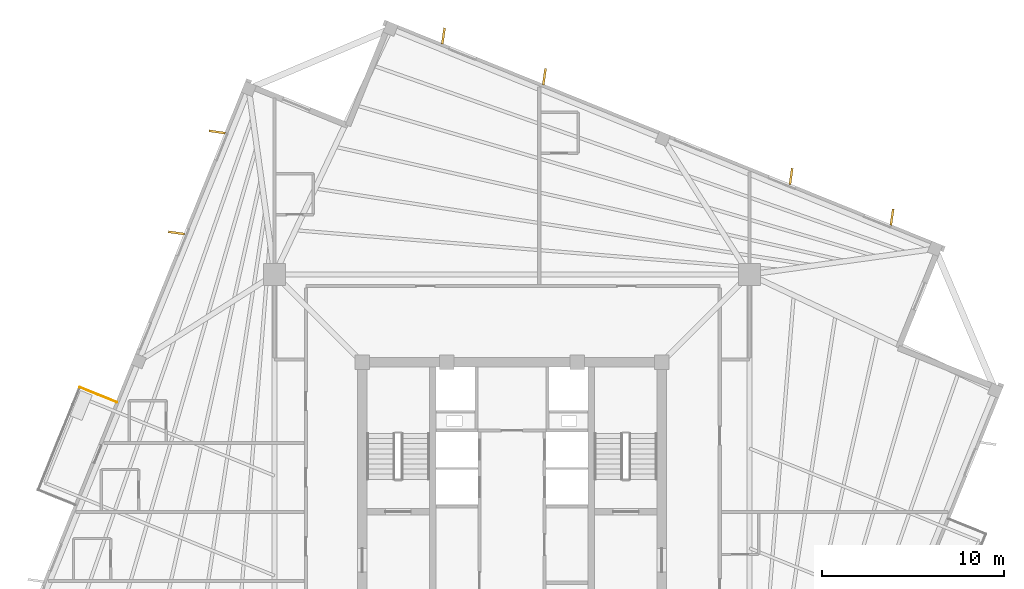
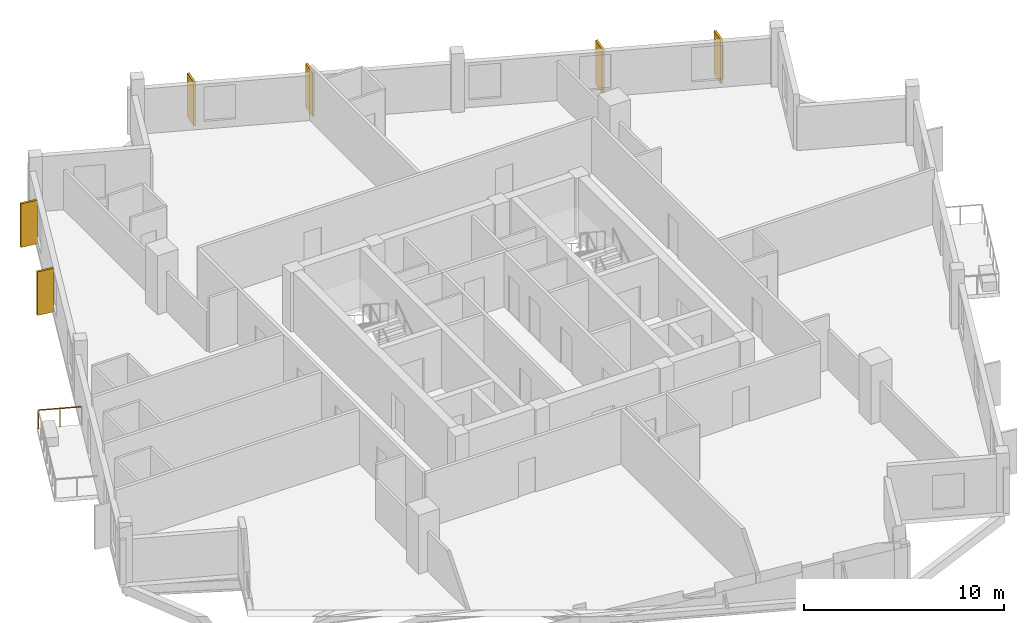
# One storey, part 8 of 8: 6 coverings, 1 railing.
"""IFC4 building model written with IfcOpenShell, lengths in metres."""

from ifc_helpers import new_model, si_unit, direction, frame, origin, origin_2d, place, context, subcontext, project, spatial, rectangle, circle, extrude, source, transform, mapped, material, layer, layer_set, type_object, element, save


model = new_model("IFC4")

# Units and contexts
model_context = context("Model", 3, precision=1e-05, world=origin(), true_north=direction((0.0, 1.0)))
body_context = subcontext(model_context, "Body", "Model", "MODEL_VIEW")
ifc_project = project(units=[si_unit("LENGTHUNIT", "METRE"), si_unit("AREAUNIT", "SQUARE_METRE"), si_unit("VOLUMEUNIT", "CUBIC_METRE"), si_unit("PLANEANGLEUNIT", "RADIAN"), si_unit("MASSUNIT", "GRAM", prefix="KILO"), si_unit("THERMODYNAMICTEMPERATUREUNIT", "KELVIN")], contexts=[model_context])

# Site, building, storey
site_placement = place(None, origin())
site = spatial("IfcSite", under=ifc_project, at=site_placement, CompositionType="ELEMENT")
building_placement = place(site_placement, origin())
building = spatial("IfcBuilding", under=site, at=building_placement, Name="Kosmvard Interchange Tower", CompositionType="ELEMENT")
storey_placement = place(building_placement, frame((0.0, 0.0, 290.39990234375)))
storey = spatial("IfcBuildingStorey", under=building, at=storey_placement, Name="L71", CompositionType="ELEMENT", Elevation=290.39990234375)

# Railing
ifc_material_1 = material(Name="Steel S355", Category="steel")
railing_type = type_object("IfcRailingType", Name="Observation & Balcony Glass-Infill Balustrade 1150", PredefinedType="BALUSTRADE", material=ifc_material_1)
shared_shape_1 = source(origin(), body_context, "Body", "SweptSolid", [
    extrude(circle(Radius=0.02392578125, at=origin_2d()), frame((0.0, 0.0, 1.1259765625), z_axis=(-0.927208487558, 0.374545618852, 0.0), x_axis=(-0.374545618852, -0.927208487558, 0.0)), (0.0, 0.0, 1.0), 2.199951171875),
    extrude(circle(Radius=0.02099609375, at=origin_2d()), origin(), (0.0, 0.0, 1.0), 1.101806640625),
    extrude(circle(Radius=0.02099609375, at=origin_2d()), frame((-1.02001953125, 0.412109375, 0.0)), (0.0, 0.0, 1.0), 1.101806640625),
    extrude(circle(Radius=0.02099609375, at=origin_2d()), frame((-2.039794921875, 0.823974609375, 0.0)), (0.0, 0.0, 1.0), 1.101806640625),
])
railing_placement = place(storey_placement, frame((-21.7705078125, 6.045654296875, 0.0)))
element("IfcRailing", 1, at=railing_placement, inside=storey, type_object=railing_type, Name="L71 Outdoor Terrace Guard BAL-L71-NE-A", PredefinedType="BALUSTRADE", context=body_context, shape_type="MappedRepresentation", body=[
    mapped(shared_shape_1, transform((0.0, 0.0, 0.0), scale=1.0)),
])

# Coverings
ifc_material_2 = material(Name="Architectural anodised aluminium", Category="aluminium")
ifc_layer = layer(ifc_material_2, 0.1201171875, Name="Architectural anodised aluminium")
ifc_layer_set = layer_set([ifc_layer], Name="Architectural anodised aluminium")
covering_type = type_object("IfcCoveringType", Name="Rotating Vertical Sun-Breaker Fin 900x120 Aluminium", PredefinedType="CLADDING", material=ifc_layer_set)
shared_shape_2 = source(origin(), body_context, "Body", "SweptSolid", [
    extrude(rectangle(XDim=0.89990234375, YDim=0.1201171875, at=origin_2d()), origin(), (0.0, 0.0, 1.0), 2.669921875),
])
for number, where, z_axis, x_axis, name in (
    (2, (20.932373046875, 16.2412109375, 0.0400390625), (0.0, 0.0, 1.0), (0.143492621991, 0.98965138682, 0.0), "L71 Rotating Vertical Sun-Breaker Fin 04"),
    (3, (15.373046875, 18.4873046875, 0.0400390625), (0.0, 0.0, 1.0), (0.143492621991, 0.98965138682, 0.0), "L71 Rotating Vertical Sun-Breaker Fin 05"),
    (4, (1.783935546875, 23.977783203125, 0.0400390625), (0.0, 0.0, 1.0), (0.143492621991, 0.98965138682, 0.0), "L71 Rotating Vertical Sun-Breaker Fin 06"),
    (5, (-3.775390625, 26.223876953125, 0.0400390625), (0.0, 0.0, 1.0), (0.143492621991, 0.98965138682, 0.0), "L71 Rotating Vertical Sun-Breaker Fin 07"),
    (6, (-16.2412109375, 20.932373046875, 0.0400390625), (0.0, 0.0, 1.0), (-0.98965138682, 0.143492621991, 0.0), "L71 Rotating Vertical Sun-Breaker Fin 08"),
    (7, (-18.4873046875, 15.373046875, 0.0400390625), (0.0, 0.0, 1.0), (-0.98965138682, 0.143492621991, 0.0), "L71 Rotating Vertical Sun-Breaker Fin 09"),
):
    element("IfcCovering", number, at=place(storey_placement, frame(where, z_axis=z_axis, x_axis=x_axis)), inside=storey, type_object=covering_type, Name=name, PredefinedType="CLADDING", context=body_context, shape_type="MappedRepresentation", body=[
        mapped(shared_shape_2, transform((0.0, 0.0, 0.0), scale=1.0)),
    ])

save(model, "model.ifc")
